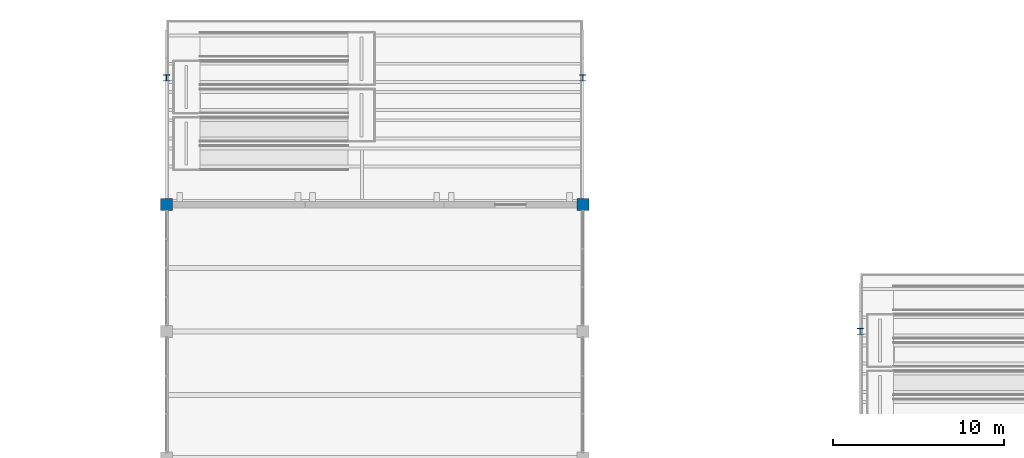
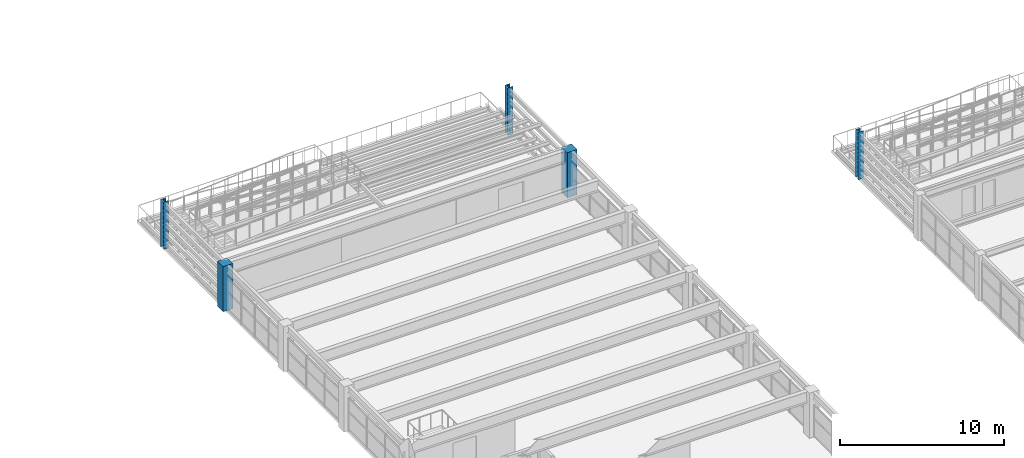
# One storey, part 5 of 121: 5 columns.
"""IFC4 building model written with IfcOpenShell, lengths in metres."""

from ifc_helpers import new_model, si_unit, direction, frame, origin, origin_2d, place, context, subcontext, project, spatial, rectangle, i_section, extrude, material, material_profile, profile_set, type_object, element, save


model = new_model("IFC4")

# Units and contexts
model_context = context("Model", 3, precision=1e-05, world=origin(), true_north=direction((0.0, 1.0)))
body_context = subcontext(model_context, "Body", "Model", "MODEL_VIEW")
ifc_project = project(units=[si_unit("LENGTHUNIT", "METRE"), si_unit("AREAUNIT", "SQUARE_METRE"), si_unit("VOLUMEUNIT", "CUBIC_METRE"), si_unit("PLANEANGLEUNIT", "RADIAN"), si_unit("MASSUNIT", "GRAM", prefix="KILO")], contexts=[model_context])

# Site, building, storey
site_placement = place(None, origin())
site = spatial("IfcSite", under=ifc_project, at=site_placement, CompositionType="ELEMENT")
building_placement = place(site_placement, origin())
building = spatial("IfcBuilding", under=site, at=building_placement, Name="Cimatlan Art Gallery", CompositionType="ELEMENT")
storey_placement = place(building_placement, frame((0.0, 0.0, 10.199951171875)))
storey = spatial("IfcBuildingStorey", under=building, at=storey_placement, Name="L02", CompositionType="ELEMENT", Elevation=10.199951171875)

# Columns
ifc_material_1 = material(Name="Concrete C45/55", Category="concrete")
ifc_material_profile_1 = material_profile(ifc_material_1, rectangle(XDim=0.699951171875, YDim=0.699951171875, at=origin_2d()), Name="RC700X700")
ifc_profile_set_1 = profile_set([ifc_material_profile_1], Name="Concrete C45/55")
column_type_1 = type_object("IfcColumnType", Name="COL-RC-700", PredefinedType="COLUMN", material=ifc_profile_set_1)
for number, where, z_axis, x_axis, name in (
    (1, (74.89990234375, 97.89990234375, 0.0), (0.0, 0.0, 1.0), (1.0, 0.0, 0.0), "COL-L02-09-13"),
    (2, (99.199951171875, 97.89990234375, 0.0), (0.0, 0.0, 1.0), (1.0, 0.0, 0.0), "COL-L02-12-13"),
):
    element("IfcColumn", number, at=place(storey_placement, frame(where, z_axis=z_axis, x_axis=x_axis)), inside=storey, type_object=column_type_1, Name=name, PredefinedType="COLUMN", context=body_context, shape_type="SweptSolid", body=[
        extrude(rectangle(XDim=0.699951171875, YDim=0.699951171875, at=origin_2d()), origin(), (0.0, 0.0, 1.0), 3.3701171875),
    ])
ifc_material_2 = material(Name="Steel ASTM A992 Grade 50", Category="steel")
ifc_material_profile_2 = material_profile(ifc_material_2, i_section(OverallWidth=0.368896484375, OverallDepth=0.35595703125, WebThickness=0.01123046875, FlangeThickness=0.01806640625, at=origin_2d()), Name="W14X90")
ifc_profile_set_2 = profile_set([ifc_material_profile_2], Name="Steel ASTM A992 Grade 50")
column_type_2 = type_object("IfcColumnType", Name="COL-STL-W14X90", PredefinedType="COLUMN", material=ifc_profile_set_2)
for number, where, z_axis, x_axis, name in (
    (3, (74.89990234375, 105.300048828125, 0.0), (0.0, 0.0, 1.0), (1.0, 0.0, 0.0), "COL-RMP-TER-B3-PRT-W"),
    (4, (99.199951171875, 105.300048828125, 0.0), (0.0, 0.0, 1.0), (1.0, 0.0, 0.0), "COL-RMP-TER-B3-PRT-E"),
    (5, (115.39990234375, 90.5, 0.0), (0.0, 0.0, 1.0), (1.0, 0.0, 0.0), "COL-RMP-TER-B4-PRT-W"),
):
    element("IfcColumn", number, at=place(storey_placement, frame(where, z_axis=z_axis, x_axis=x_axis)), inside=storey, type_object=column_type_2, Name=name, PredefinedType="COLUMN", context=body_context, shape_type="SweptSolid", body=[
        extrude(i_section(OverallWidth=0.368896484375, OverallDepth=0.35595703125, WebThickness=0.01123046875, FlangeThickness=0.01806640625, at=origin_2d()), origin(), (0.0, 0.0, 1.0), 3.550048828125),
    ])

save(model, "model.ifc")
